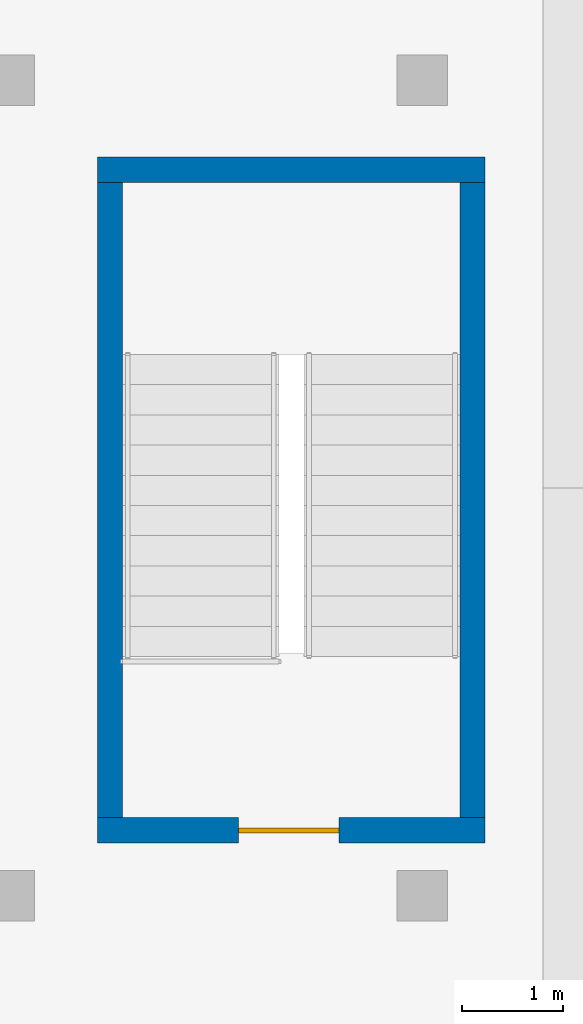
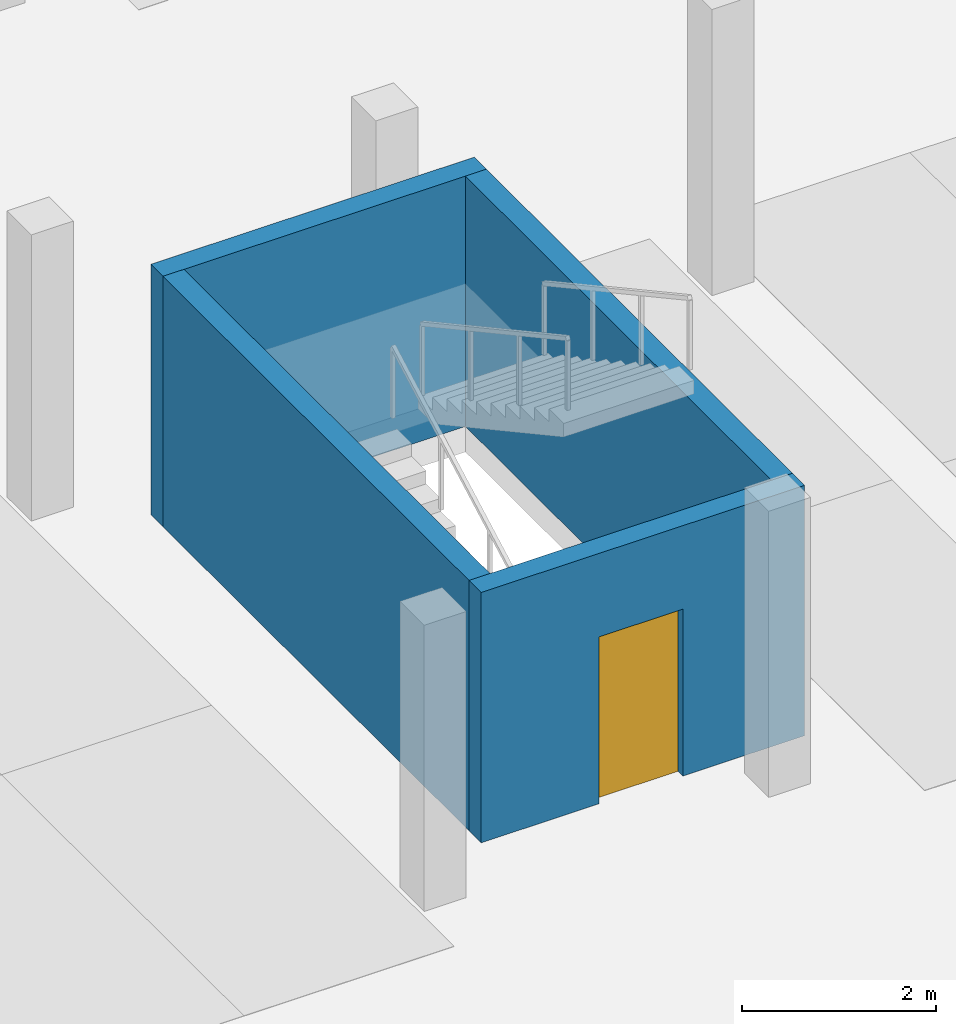
# One storey, part 6 of 14: 4 walls, 1 door, 1 opening.
"""IFC4 building model written with IfcOpenShell, lengths in metres."""

from ifc_helpers import new_model, si_unit, direction, frame, frame_2d, origin, place, context, subcontext, project, spatial, rectangle, extrude, material, layer, layer_set, type_object, element, fill, save


model = new_model("IFC4")

# Units and contexts
model_context = context("Model", 3, precision=1e-05, world=origin(), true_north=direction((0.0, 1.0)))
body_context = subcontext(model_context, "Body", "Model", "MODEL_VIEW")
ifc_project = project(units=[si_unit("LENGTHUNIT", "METRE"), si_unit("AREAUNIT", "SQUARE_METRE"), si_unit("VOLUMEUNIT", "CUBIC_METRE"), si_unit("PLANEANGLEUNIT", "RADIAN"), si_unit("MASSUNIT", "GRAM", prefix="KILO")], contexts=[model_context])

# Site, building, storey
site_placement = place(None, origin())
site = spatial("IfcSite", under=ifc_project, at=site_placement, CompositionType="ELEMENT")
building_placement = place(site_placement, origin())
building = spatial("IfcBuilding", under=site, at=building_placement, Name="Torre Triforio", CompositionType="ELEMENT")
storey_placement = place(building_placement, frame((0.0, 0.0, -3.60009765625)))
storey = spatial("IfcBuildingStorey", under=building, at=storey_placement, Name="B1", CompositionType="ELEMENT", Elevation=-3.60009765625)

# Wall, opening, door
ifc_material_1 = material(Name="Concrete C40", Category="concrete")
ifc_layer = layer(ifc_material_1, 0.25)
ifc_layer_set = layer_set([ifc_layer], Name="Concrete C40")
wall_type = type_object("IfcWallType", Name="Stair enclosure wall 250 EI 120", PredefinedType="STANDARD", material=ifc_layer_set)
wall_1_placement = place(storey_placement, frame((73.77490234375, -31.75, 0.0), z_axis=(0.0, 0.0, 1.0), x_axis=(1.0, 0.0, 0.0)))
wall_1 = element("IfcWall", 1, at=wall_1_placement, inside=storey, type_object=wall_type, Name="Stair enclosure wall B1 009", PredefinedType="STANDARD", context=body_context, shape_type="SweptSolid", body=[
    extrude(rectangle(XDim=3.85009765625, YDim=0.25, at=frame_2d((1.925048828125, 0.0))), origin(), (0.0, 0.0, 1.0), 3.150146484375),
])
opening_placement = place(wall_1_placement, frame((1.39990234375, 0.0, 0.0)))
opening = element("IfcOpeningElement", 2, at=opening_placement, cuts=wall_1, Name="Opening BS1-03", PredefinedType="OPENING", context=body_context, shape_type="SweptSolid", body=[
    extrude(rectangle(XDim=1.0, YDim=2.10009765625, at=frame_2d((0.5, 1.050048828125))), frame((0.0, 0.135009765625, 0.0), z_axis=(0.0, -1.0, 0.0), x_axis=(1.0, 0.0, 0.0)), (0.0, 0.0, 1.0), 0.27001953125),
])
ifc_material_2 = material(Name="Hollow metal fire door leaf")
door_type = type_object("IfcDoorType", Name="Stair door 1000 x 2100 EI 90", OperationType="NOTDEFINED", PredefinedType="DOOR", material=ifc_material_2)
door_placement = place(opening_placement, origin())
door = element("IfcDoor", 3, at=door_placement, inside=storey, type_object=door_type, Name="Door BS1-03", OperationType="SINGLE_SWING_LEFT", OverallHeight=2.10009765625, OverallWidth=1.0, PredefinedType="DOOR", context=body_context, shape_type="SweptSolid", body=[
    extrude(rectangle(XDim=1.0, YDim=2.10009765625, at=frame_2d((0.5, 1.050048828125))), frame((0.0, 0.02490234375, 0.0), z_axis=(0.0, -1.0, 0.0), x_axis=(1.0, 0.0, 0.0)), (0.0, 0.0, 1.0), 0.050048828125),
])
fill(opening, door)

# Walls
wall_2_placement = place(storey_placement, frame((73.77490234375, -25.18994140625, 0.0), z_axis=(0.0, 0.0, 1.0), x_axis=(1.0, 0.0, 0.0)))
element("IfcWall", 4, at=wall_2_placement, inside=storey, type_object=wall_type, Name="Stair enclosure wall B1 010", PredefinedType="STANDARD", context=body_context, shape_type="SweptSolid", body=[
    extrude(rectangle(XDim=3.85009765625, YDim=0.25, at=frame_2d((1.925048828125, 0.0))), origin(), (0.0, 0.0, 1.0), 3.150146484375),
])
for number, where, z_axis, x_axis, name in (
    (5, (73.89990234375, -31.625, 0.0), (0.0, 0.0, 1.0), (0.0, 1.0, 0.0), "Stair enclosure wall B1 011"),
    (6, (77.5, -31.625, 0.0), (0.0, 0.0, 1.0), (0.0, 1.0, 0.0), "Stair enclosure wall B1 012"),
):
    element("IfcWall", number, at=place(storey_placement, frame(where, z_axis=z_axis, x_axis=x_axis)), inside=storey, type_object=wall_type, Name=name, PredefinedType="STANDARD", context=body_context, shape_type="SweptSolid", body=[
        extrude(rectangle(XDim=6.31005859375, YDim=0.25, at=frame_2d((3.155029296875, 0.0))), origin(), (0.0, 0.0, 1.0), 3.150146484375),
    ])

save(model, "model.ifc")
